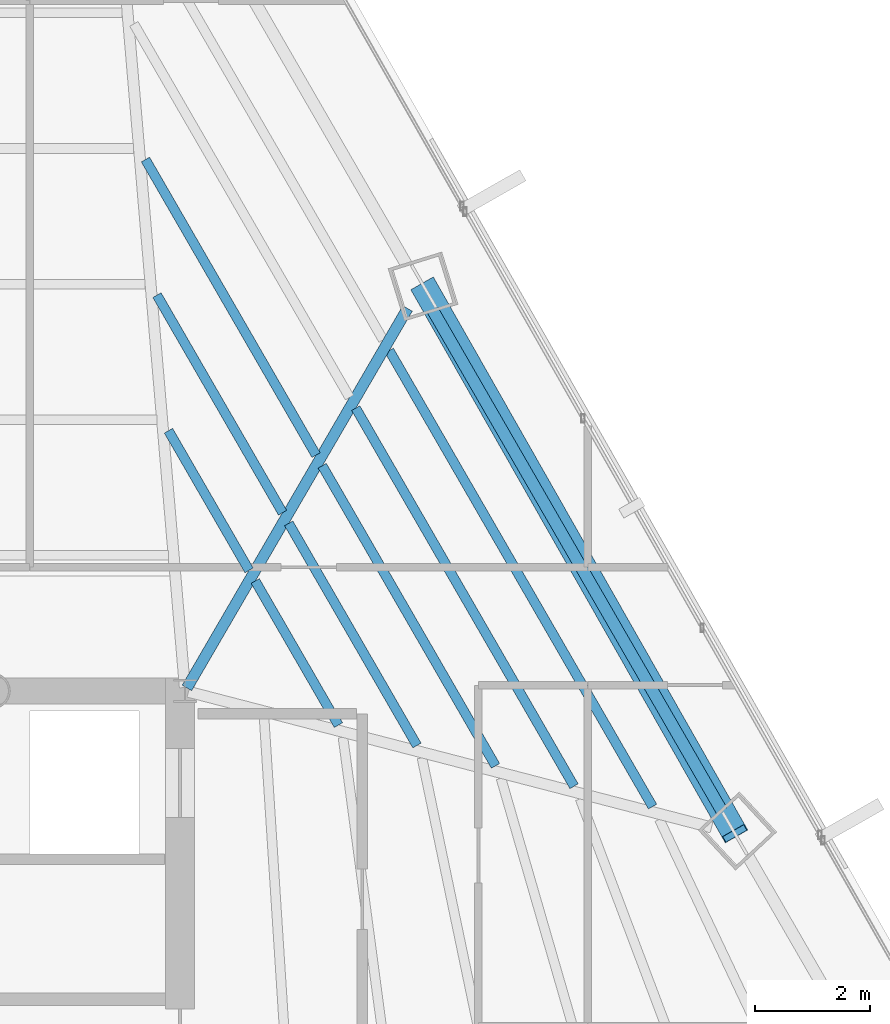
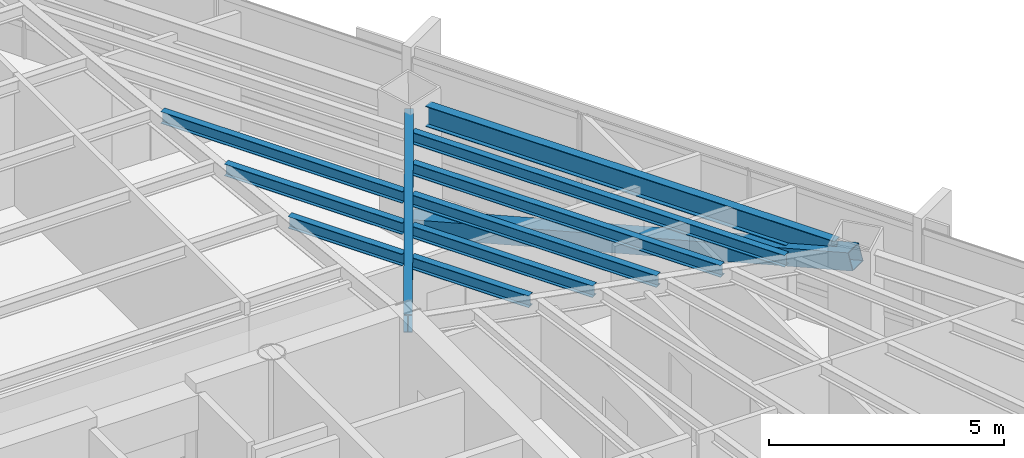
# One storey, part 24 of 38: 10 beams, 1 member.
"""IFC4 building model written with IfcOpenShell, lengths in metres."""

from ifc_helpers import new_model, si_unit, direction, frame, origin, origin_2d, place, context, subcontext, project, spatial, hollow_rectangle, i_section, extrude, source, transform, mapped, material, material_profile, profile_set, type_object, type_shapes, element, save


model = new_model("IFC4")

# Units and contexts
model_context = context("Model", 3, precision=1e-05, world=origin(), true_north=direction((0.0, 1.0)))
body_context = subcontext(model_context, "Body", "Model", "MODEL_VIEW")
ifc_project = project(units=[si_unit("LENGTHUNIT", "METRE"), si_unit("AREAUNIT", "SQUARE_METRE"), si_unit("VOLUMEUNIT", "CUBIC_METRE"), si_unit("PLANEANGLEUNIT", "RADIAN"), si_unit("MASSUNIT", "GRAM", prefix="KILO")], contexts=[model_context])

# Site, building, storey
site_placement = place(None, origin())
site = spatial("IfcSite", under=ifc_project, at=site_placement, CompositionType="ELEMENT")
building_placement = place(site_placement, origin())
building = spatial("IfcBuilding", under=site, at=building_placement, Name="Caelisora Broadcast Tower", CompositionType="ELEMENT")
storey_placement = place(building_placement, frame((0.0, 0.0, 158.5)))
storey = spatial("IfcBuildingStorey", under=building, at=storey_placement, Name="L41", CompositionType="ELEMENT", Elevation=158.5)

# Beams
ifc_material_1 = material(Name="Steel Grade 350 (AS/NZS 3679.1)", Category="steel")
ifc_material_profile_1 = material_profile(ifc_material_1, i_section(OverallWidth=0.208984375, OverallDepth=0.532958984375, WebThickness=0.01025390625, FlangeThickness=0.015625, at=origin_2d()), Name="Steel Grade 350 (AS/NZS 3679.1)")
ifc_profile_set_1 = profile_set([ifc_material_profile_1], Name="Steel Grade 350 (AS/NZS 3679.1)")
beam_type_1 = type_object("IfcBeamType", Name="PG05", PredefinedType="BEAM", material=ifc_profile_set_1)
shared_shape_1 = source(origin(), body_context, "Body", "SweptSolid", [
    extrude(i_section(OverallWidth=0.208984375, OverallDepth=0.532958984375, WebThickness=0.01025390625, FlangeThickness=0.015625, at=origin_2d()), origin(), (0.0, 0.0, 1.0), 10.04296875),
])
type_shapes(beam_type_1, [shared_shape_1])
beam_1_placement = place(storey_placement, frame((54.830322265625, 27.918701171875, 3.133544921875), z_axis=(-0.499998115892, 0.866026491572, 0.0), x_axis=(-0.866026491572, -0.499998115892, 0.0)))
element("IfcBeam", 1, at=beam_1_placement, inside=storey, type_object=beam_type_1, Name="L41 beam PG05", PredefinedType="BEAM", context=body_context, shape_type="MappedRepresentation", body=[
    mapped(shared_shape_1, transform((0.0, 0.0, 0.0), scale=1.0)),
])
ifc_material_profile_2 = material_profile(ifc_material_1, i_section(OverallWidth=0.19091796875, OverallDepth=0.46044921875, WebThickness=0.010009765625, FlangeThickness=0.01611328125, at=origin_2d()), Name="Steel Grade 350 (AS/NZS 3679.1)")
ifc_profile_set_2 = profile_set([ifc_material_profile_2], Name="Steel Grade 350 (AS/NZS 3679.1)")
beam_type_2 = type_object("IfcBeamType", Name="PG06", PredefinedType="BEAM", material=ifc_profile_set_2)
shared_shape_2 = source(origin(), body_context, "Body", "SweptSolid", [
    extrude(i_section(OverallWidth=0.19091796875, OverallDepth=0.46044921875, WebThickness=0.010009765625, FlangeThickness=0.01611328125, at=origin_2d()), origin(), (0.0, 0.0, 1.0), 7.63427734375),
])
type_shapes(beam_type_2, [shared_shape_2])
beam_2_placement = place(storey_placement, frame((45.5302734375, 30.052001953125, 3.169921875), z_axis=(0.502685487794, 0.864469375028, 0.0), x_axis=(-0.864469375028, 0.502685487794, 0.0)))
element("IfcBeam", 2, at=beam_2_placement, inside=storey, type_object=beam_type_2, Name="L41 beam PG06", PredefinedType="BEAM", context=body_context, shape_type="MappedRepresentation", body=[
    mapped(shared_shape_2, transform((0.0, 0.0, 0.0), scale=1.0)),
])
ifc_material_profile_3 = material_profile(ifc_material_1, i_section(OverallWidth=0.166015625, OverallDepth=0.30712890625, WebThickness=0.006591796875, FlangeThickness=0.01171875, at=origin_2d()), Name="Steel Grade 350 (AS/NZS 3679.1)")
ifc_profile_set_3 = profile_set([ifc_material_profile_3], Name="Steel Grade 350 (AS/NZS 3679.1)")
beam_type_3 = type_object("IfcBeamType", Name="SB03", PredefinedType="JOIST", material=ifc_profile_set_3)
shared_shape_3 = source(origin(), body_context, "Body", "SweptSolid", [
    extrude(i_section(OverallWidth=0.166015625, OverallDepth=0.30712890625, WebThickness=0.006591796875, FlangeThickness=0.01171875, at=origin_2d()), origin(), (0.0, 0.0, 1.0), 2.80322265625),
])
beam_3_placement = place(storey_placement, frame((46.61181640625, 32.096923828125, 3.246337890625), z_axis=(-0.499988825533, 0.86603185527, 0.0), x_axis=(-0.86603185527, -0.499988825533, 0.0)))
element("IfcBeam", 3, at=beam_3_placement, inside=storey, type_object=beam_type_3, Name="L41 beam SB03", PredefinedType="JOIST", context=body_context, shape_type="MappedRepresentation", body=[
    mapped(shared_shape_3, transform((0.0, 0.0, 0.0), scale=1.0)),
])
shared_shape_4 = source(origin(), body_context, "Body", "SweptSolid", [
    extrude(i_section(OverallWidth=0.166015625, OverallDepth=0.30712890625, WebThickness=0.006591796875, FlangeThickness=0.01171875, at=origin_2d()), origin(), (0.0, 0.0, 1.0), 4.369384765625),
])
beam_4_placement = place(storey_placement, frame((47.194580078125, 33.09912109375, 3.246337890625), z_axis=(-0.500027162553, 0.866009720909, 0.0), x_axis=(-0.866009720909, -0.500027162553, 0.0)))
element("IfcBeam", 4, at=beam_4_placement, inside=storey, type_object=beam_type_3, Name="L41 beam SB03", PredefinedType="JOIST", context=body_context, shape_type="MappedRepresentation", body=[
    mapped(shared_shape_4, transform((0.0, 0.0, 0.0), scale=1.0)),
])
shared_shape_5 = source(origin(), body_context, "Body", "SweptSolid", [
    extrude(i_section(OverallWidth=0.166015625, OverallDepth=0.30712890625, WebThickness=0.006591796875, FlangeThickness=0.01171875, at=origin_2d()), origin(), (0.0, 0.0, 1.0), 5.935546875),
])
beam_5_placement = place(storey_placement, frame((47.777099609375, 34.10107421875, 3.246337890625), z_axis=(-0.499996609169, 0.866027361473, 0.0), x_axis=(-0.866027361473, -0.499996609169, 0.0)))
element("IfcBeam", 5, at=beam_5_placement, inside=storey, type_object=beam_type_3, Name="L41 beam SB03", PredefinedType="JOIST", context=body_context, shape_type="MappedRepresentation", body=[
    mapped(shared_shape_5, transform((0.0, 0.0, 0.0), scale=1.0)),
])
shared_shape_6 = source(origin(), body_context, "Body", "SweptSolid", [
    extrude(i_section(OverallWidth=0.166015625, OverallDepth=0.30712890625, WebThickness=0.006591796875, FlangeThickness=0.01171875, at=origin_2d()), origin(), (0.0, 0.0, 1.0), 2.89404296875),
])
beam_6_placement = place(storey_placement, frame((48.166015625, 29.405029296875, 3.246337890625), z_axis=(-0.499995073634, 0.866028248005, 0.0), x_axis=(-0.866028248005, -0.499995073634, 0.0)))
element("IfcBeam", 6, at=beam_6_placement, inside=storey, type_object=beam_type_3, Name="L41 beam SB03", PredefinedType="JOIST", context=body_context, shape_type="MappedRepresentation", body=[
    mapped(shared_shape_6, transform((0.0, 0.0, 0.0), scale=1.0)),
])
shared_shape_7 = source(origin(), body_context, "Body", "SweptSolid", [
    extrude(i_section(OverallWidth=0.166015625, OverallDepth=0.30712890625, WebThickness=0.006591796875, FlangeThickness=0.01171875, at=origin_2d()), origin(), (0.0, 0.0, 1.0), 4.46044921875),
])
beam_7_placement = place(storey_placement, frame((49.53173828125, 29.05078125, 3.246337890625), z_axis=(-0.500006734102, 0.866021515814, 0.0), x_axis=(-0.866021515814, -0.500006734102, 0.0)))
element("IfcBeam", 7, at=beam_7_placement, inside=storey, type_object=beam_type_3, Name="L41 beam SB03", PredefinedType="JOIST", context=body_context, shape_type="MappedRepresentation", body=[
    mapped(shared_shape_7, transform((0.0, 0.0, 0.0), scale=1.0)),
])
shared_shape_8 = source(origin(), body_context, "Body", "SweptSolid", [
    extrude(i_section(OverallWidth=0.166015625, OverallDepth=0.30712890625, WebThickness=0.006591796875, FlangeThickness=0.01171875, at=origin_2d()), origin(), (0.0, 0.0, 1.0), 6.026611328125),
])
beam_8_placement = place(storey_placement, frame((50.897705078125, 28.696533203125, 3.246337890625), z_axis=(-0.500029875572, 0.866008154428, 0.0), x_axis=(-0.866008154428, -0.500029875572, 0.0)))
element("IfcBeam", 8, at=beam_8_placement, inside=storey, type_object=beam_type_3, Name="L41 beam SB03", PredefinedType="JOIST", context=body_context, shape_type="MappedRepresentation", body=[
    mapped(shared_shape_8, transform((0.0, 0.0, 0.0), scale=1.0)),
])
shared_shape_9 = source(origin(), body_context, "Body", "SweptSolid", [
    extrude(i_section(OverallWidth=0.166015625, OverallDepth=0.30712890625, WebThickness=0.006591796875, FlangeThickness=0.01171875, at=origin_2d()), origin(), (0.0, 0.0, 1.0), 7.5927734375),
])
beam_9_placement = place(storey_placement, frame((52.263427734375, 28.34228515625, 3.246337890625), z_axis=(-0.500005430915, 0.866022268221, 0.0), x_axis=(-0.866022268221, -0.500005430915, 0.0)))
element("IfcBeam", 9, at=beam_9_placement, inside=storey, type_object=beam_type_3, Name="L41 beam SB03", PredefinedType="JOIST", context=body_context, shape_type="MappedRepresentation", body=[
    mapped(shared_shape_9, transform((0.0, 0.0, 0.0), scale=1.0)),
])
shared_shape_10 = source(origin(), body_context, "Body", "SweptSolid", [
    extrude(i_section(OverallWidth=0.166015625, OverallDepth=0.30712890625, WebThickness=0.006591796875, FlangeThickness=0.01171875, at=origin_2d()), origin(), (0.0, 0.0, 1.0), 9.158935546875),
])
type_shapes(beam_type_3, [shared_shape_3, shared_shape_4, shared_shape_5, shared_shape_6, shared_shape_7, shared_shape_8, shared_shape_9, shared_shape_10])
beam_10_placement = place(storey_placement, frame((53.629150390625, 27.988037109375, 3.246337890625), z_axis=(-0.499989346253, 0.866031554641, 0.0), x_axis=(-0.866031554641, -0.499989346253, 0.0)))
element("IfcBeam", 10, at=beam_10_placement, inside=storey, type_object=beam_type_3, Name="L41 beam SB03", PredefinedType="JOIST", context=body_context, shape_type="MappedRepresentation", body=[
    mapped(shared_shape_10, transform((0.0, 0.0, 0.0), scale=1.0)),
])

# Member
ifc_material_2 = material(Name="Steel Grade 450 (AS/NZS 1163 C450L0)", Category="steel")
ifc_material_profile_4 = material_profile(ifc_material_2, hollow_rectangle(XDim=0.449951171875, YDim=0.449951171875, WallThickness=0.01611328125, at=origin_2d()), Name="Steel Grade 450 (AS/NZS 1163 C450L0)")
ifc_profile_set_4 = profile_set([ifc_material_profile_4], Name="Steel Grade 450 (AS/NZS 1163 C450L0)")
member_type = type_object("IfcMemberType", Name="BR03", PredefinedType="BRACE", material=ifc_profile_set_4)
shared_shape_11 = source(origin(), body_context, "Body", "SweptSolid", [
    extrude(hollow_rectangle(XDim=0.449951171875, YDim=0.449951171875, WallThickness=0.01611328125, at=origin_2d()), origin(), (0.0, 0.0, 1.0), 11.3505859375),
])
type_shapes(member_type, [shared_shape_11])
member_placement = place(storey_placement, frame((55.060302734375, 27.520263671875, 3.10009765625), z_axis=(-0.476683547083, 0.838401226502, -0.264303195856), x_axis=(-0.869314357346, -0.494259595872, 0.0)))
element("IfcMember", 11, at=member_placement, inside=storey, type_object=member_type, Name="L41 perimeter brace BR03", PredefinedType="BRACE", context=body_context, shape_type="MappedRepresentation", body=[
    mapped(shared_shape_11, transform((0.0, 0.0, 0.0), scale=1.0)),
])

save(model, "model.ifc")
